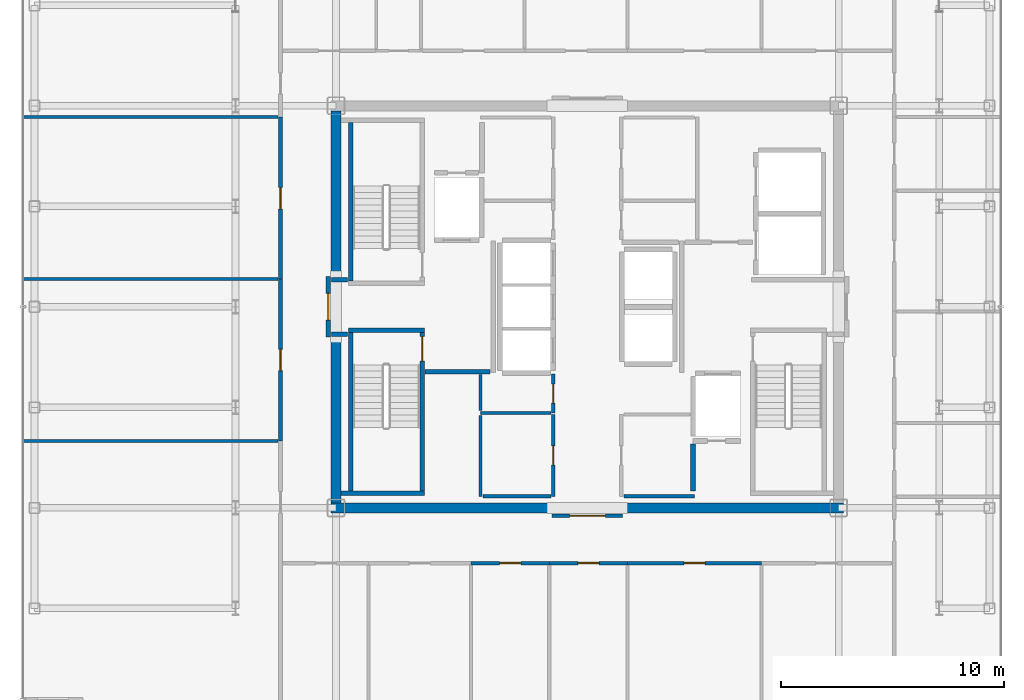
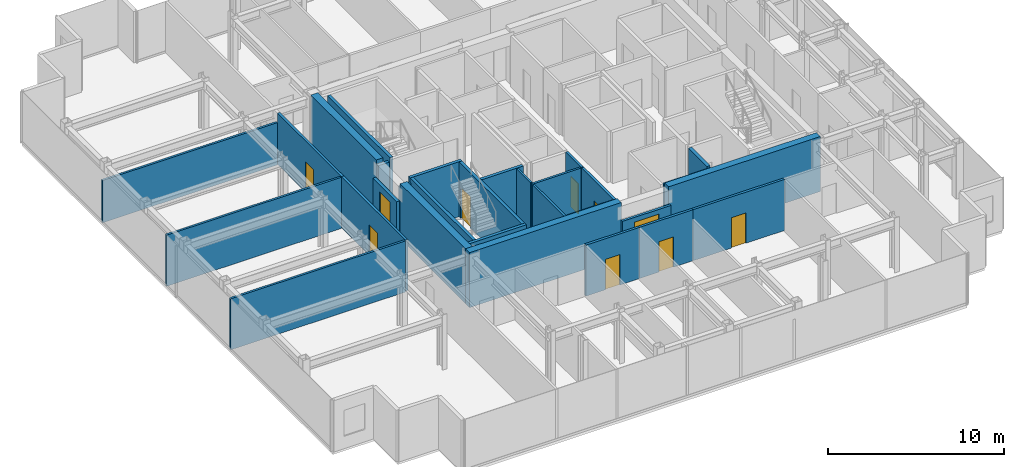
# One storey, part 13 of 18: 30 walls, 10 doors, 10 openings.
"""IFC4 building model written with IfcOpenShell, lengths in metres."""

from ifc_helpers import new_model, si_unit, direction, frame, frame_2d, origin, place, context, subcontext, project, spatial, rectangle, extrude, source, transform, mapped, material, layer, layer_set, type_object, element, fill, save


model = new_model("IFC4")

# Units and contexts
model_context = context("Model", 3, precision=1e-05, world=origin(), true_north=direction((0.0, 1.0)))
body_context = subcontext(model_context, "Body", "Model", "MODEL_VIEW")
ifc_project = project(units=[si_unit("LENGTHUNIT", "METRE"), si_unit("AREAUNIT", "SQUARE_METRE"), si_unit("VOLUMEUNIT", "CUBIC_METRE"), si_unit("PLANEANGLEUNIT", "RADIAN"), si_unit("MASSUNIT", "GRAM", prefix="KILO")], contexts=[model_context])

# Site, building, storey
site_placement = place(None, origin())
site = spatial("IfcSite", under=ifc_project, at=site_placement, CompositionType="ELEMENT")
building_placement = place(site_placement, origin())
building = spatial("IfcBuilding", under=site, at=building_placement, Name="Nefas-Gora Pilgrimage Tower", CompositionType="ELEMENT")
storey_placement = place(building_placement, frame((0.0, 0.0, 295.0)))
storey = spatial("IfcBuildingStorey", under=building, at=storey_placement, Name="L74", CompositionType="ELEMENT", Elevation=295.0)

# Walls
ifc_material_1 = material(Name="Concrete C50/60", Category="concrete")
ifc_layer_1 = layer(ifc_material_1, 0.449951171875)
ifc_layer_set_1 = layer_set([ifc_layer_1], Name="Concrete C50/60")
wall_type_1 = type_object("IfcWallType", Name="SW-CORE-450", PredefinedType="SHEAR", material=ifc_layer_set_1)
shared_shape_1 = source(origin(), body_context, "Body", "SweptSolid", [
    extrude(rectangle(XDim=9.925048828125, YDim=0.449951171875, at=frame_2d((4.96240234375, 0.0))), origin(), (0.0, 0.0, 1.0), 3.800048828125),
])
for number, where, z_axis, x_axis, name in (
    (1, (-11.47509765625, -9.0, 0.0), (0.0, 0.0, 1.0), (1.0, 0.0, 0.0), "L74 Core Shear Wall S-West"),
    (2, (1.550048828125, -9.0, 0.0), (0.0, 0.0, 1.0), (1.0, 0.0, 0.0), "L74 Core Shear Wall S-East"),
):
    element("IfcWall", number, at=place(storey_placement, frame(where, z_axis=z_axis, x_axis=x_axis)), inside=storey, type_object=wall_type_1, Name=name, PredefinedType="SHEAR", context=body_context, shape_type="MappedRepresentation", body=[
        mapped(shared_shape_1, transform((0.0, 0.0, 0.0), x_axis=(1.0, 0.0, 0.0), y_axis=(0.0, 1.0, 0.0), z_axis=(0.0, 0.0, 1.0), scale=1.0)),
    ])
shared_shape_2 = source(origin(), body_context, "Body", "SweptSolid", [
    extrude(rectangle(XDim=7.4248046875, YDim=0.449951171875, at=frame_2d((3.71240234375, 0.0))), origin(), (0.0, 0.0, 1.0), 3.800048828125),
])
for number, where, z_axis, x_axis, name in (
    (3, (-11.25, -8.77490234375, 0.0), (0.0, 0.0, 1.0), (0.0, 1.0, 0.0), "L74 Core Shear Wall W-South"),
    (4, (-11.25, 1.35009765625, 0.0), (0.0, 0.0, 1.0), (0.0, 1.0, 0.0), "L74 Core Shear Wall W-North"),
):
    element("IfcWall", number, at=place(storey_placement, frame(where, z_axis=z_axis, x_axis=x_axis)), inside=storey, type_object=wall_type_1, Name=name, PredefinedType="SHEAR", context=body_context, shape_type="MappedRepresentation", body=[
        mapped(shared_shape_2, transform((0.0, 0.0, 0.0), x_axis=(1.0, 0.0, 0.0), y_axis=(0.0, 1.0, 0.0), z_axis=(0.0, 0.0, 1.0), scale=1.0)),
    ])
ifc_material_2 = material(Name="Concrete C45/55", Category="concrete")
ifc_layer_2 = layer(ifc_material_2, 0.199951171875)
ifc_layer_set_2 = layer_set([ifc_layer_2], Name="Concrete C45/55")
wall_type_2 = type_object("IfcWallType", Name="IW-STAIR-200", PredefinedType="SOLIDWALL", material=ifc_layer_set_2)
shared_shape_3 = source(origin(), body_context, "Body", "SweptSolid", [
    extrude(rectangle(XDim=3.39990234375, YDim=0.199951171875, at=frame_2d((1.699951171875, 0.0))), origin(), (0.0, 0.0, 1.0), 3.800048828125),
])
wall_1_placement = place(storey_placement, frame((-10.699951171875, -1.050048828125, 0.0), z_axis=(0.0, 0.0, 1.0), x_axis=(1.0, 0.0, 0.0)))
element("IfcWall", 5, at=wall_1_placement, inside=storey, type_object=wall_type_2, Name="L74 Stairwell Shear Wall ST-03-near", PredefinedType="SOLIDWALL", context=body_context, shape_type="MappedRepresentation", body=[
    mapped(shared_shape_3, transform((0.0, 0.0, 0.0), x_axis=(1.0, 0.0, 0.0), y_axis=(0.0, 1.0, 0.0), z_axis=(0.0, 0.0, 1.0), scale=1.0)),
])
shared_shape_4 = source(origin(), body_context, "Body", "SweptSolid", [
    extrude(rectangle(XDim=7.10009765625, YDim=0.199951171875, at=frame_2d((3.550048828125, 0.0))), origin(), (0.0, 0.0, 1.0), 3.800048828125),
])
for number, where, z_axis, x_axis, name in (
    (6, (-10.60009765625, 1.14990234375, 0.0), (0.0, 0.0, 1.0), (0.0, 1.0, 0.0), "L74 Stairwell Shear Wall ST-01-right"),
    (7, (-10.60009765625, -1.14990234375, 0.0), (0.0, 0.0, 1.0), (0.0, -1.0, 0.0), "L74 Stairwell Shear Wall ST-03-left"),
):
    element("IfcWall", number, at=place(storey_placement, frame(where, z_axis=z_axis, x_axis=x_axis)), inside=storey, type_object=wall_type_2, Name=name, PredefinedType="SOLIDWALL", context=body_context, shape_type="MappedRepresentation", body=[
        mapped(shared_shape_4, transform((0.0, 0.0, 0.0), x_axis=(1.0, 0.0, 0.0), y_axis=(0.0, 1.0, 0.0), z_axis=(0.0, 0.0, 1.0), scale=1.0)),
    ])

# Wall, opening, door
wall_2_placement = place(storey_placement, frame((-7.39990234375, -1.14990234375, 0.0), z_axis=(0.0, 0.0, 1.0), x_axis=(0.0, -1.0, 0.0)))
wall_2 = element("IfcWall", 8, at=wall_2_placement, inside=storey, type_object=wall_type_2, Name="L74 Stairwell Shear Wall ST-03-right", PredefinedType="SOLIDWALL", context=body_context, shape_type="MappedRepresentation", body=[
    mapped(shared_shape_4, transform((0.0, 0.0, 0.0), x_axis=(1.0, 0.0, 0.0), y_axis=(0.0, 1.0, 0.0), z_axis=(0.0, 0.0, 1.0), scale=1.0)),
])
opening_1_placement = place(wall_2_placement, frame((0.179931640625, 0.0, 0.0)))
opening_1 = element("IfcOpeningElement", 9, at=opening_1_placement, cuts=wall_2, Name="Opening ID-ST1", PredefinedType="OPENING", context=body_context, shape_type="SweptSolid", body=[
    extrude(rectangle(XDim=1.10009765625, YDim=2.14990234375, at=frame_2d((0.550048828125, 1.074951171875))), frame((0.0, 0.10986328125, 0.0), z_axis=(0.0, -1.0, 0.0), x_axis=(1.0, 0.0, 0.0)), (0.0, 0.0, 1.0), 0.219970703125),
])
ifc_material_3 = material(Name="Painted galvanised steel fire stair door", Category="steel")
door_type_1 = type_object("IfcDoorType", Name="DR-INT-STAIR-1100", OperationType="NOTDEFINED", PredefinedType="DOOR", material=ifc_material_3)
shared_shape_5 = source(origin(), body_context, "Body", "SweptSolid", [
    extrude(rectangle(XDim=1.10009765625, YDim=2.14990234375, at=frame_2d((0.550048828125, 1.074951171875))), frame((0.0, 0.02490234375, 0.0), z_axis=(0.0, -1.0, 0.0), x_axis=(1.0, 0.0, 0.0)), (0.0, 0.0, 1.0), 0.050048828125),
])
door_1_placement = place(opening_1_placement, origin())
door_1 = element("IfcDoor", 10, at=door_1_placement, inside=storey, type_object=door_type_1, Name="L74 Protected Exit Stair Door ST-03", OperationType="SINGLE_SWING_RIGHT", OverallHeight=2.14990234375, OverallWidth=1.10009765625, PredefinedType="DOOR", context=body_context, shape_type="MappedRepresentation", body=[
    mapped(shared_shape_5, transform((0.0, 0.0, 0.0), x_axis=(1.0, 0.0, 0.0), y_axis=(0.0, 1.0, 0.0), z_axis=(0.0, 0.0, 1.0), scale=1.0)),
])
fill(opening_1, door_1)

# Walls
shared_shape_6 = source(origin(), body_context, "Body", "SweptSolid", [
    extrude(rectangle(XDim=3.72998046875, YDim=0.199951171875, at=frame_2d((1.864990234375, 0.0))), origin(), (0.0, 0.0, 1.0), 3.800048828125),
])
wall_3_placement = place(storey_placement, frame((-11.030029296875, -8.35009765625, 0.0), z_axis=(0.0, 0.0, 1.0), x_axis=(1.0, 0.0, 0.0)))
element("IfcWall", 11, at=wall_3_placement, inside=storey, type_object=wall_type_2, Name="L74 Stairwell Shear Wall ST-03-far", PredefinedType="SOLIDWALL", context=body_context, shape_type="MappedRepresentation", body=[
    mapped(shared_shape_6, transform((0.0, 0.0, 0.0), x_axis=(1.0, 0.0, 0.0), y_axis=(0.0, 1.0, 0.0), z_axis=(0.0, 0.0, 1.0), scale=1.0)),
])
ifc_material_4 = material(Name="Gypsum fire-rated shaftwall")
ifc_layer_3 = layer(ifc_material_4, 0.199951171875)
ifc_layer_set_3 = layer_set([ifc_layer_3], Name="Gypsum fire-rated shaftwall")
wall_type_3 = type_object("IfcWallType", Name="IW-FFLOB-200", PredefinedType="PARTITIONING", material=ifc_layer_set_3)
shared_shape_7 = source(origin(), body_context, "Body", "SweptSolid", [
    extrude(rectangle(XDim=2.89990234375, YDim=0.199951171875, at=frame_2d((1.449951171875, 0.0))), origin(), (0.0, 0.0, 1.0), 3.534912109375),
])
wall_4_placement = place(storey_placement, frame((-7.260009765625, -2.89990234375, 0.0), z_axis=(0.0, 0.0, 1.0), x_axis=(1.0, 0.0, 0.0)))
element("IfcWall", 12, at=wall_4_placement, inside=storey, type_object=wall_type_3, Name="L74 FF Lobby West South Wall Wall 7", PredefinedType="PARTITIONING", context=body_context, shape_type="MappedRepresentation", body=[
    mapped(shared_shape_7, transform((0.0, 0.0, 0.0), x_axis=(1.0, 0.0, 0.0), y_axis=(0.0, 1.0, 0.0), z_axis=(0.0, 0.0, 1.0), scale=1.0)),
])
shared_shape_8 = source(origin(), body_context, "Body", "SweptSolid", [
    extrude(rectangle(XDim=0.719970703125, YDim=0.199951171875, at=frame_2d((0.35986328125, 0.0))), origin(), (0.0, 0.0, 1.0), 3.534912109375),
])
for number, where, z_axis, x_axis, name in (
    (13, (-11.4599609375, 1.219970703125, 0.0), (0.0, 0.0, 1.0), (1.0, 0.0, 0.0), "L74 FF Lobby West Throat N Wall 8"),
    (14, (-11.4599609375, -1.219970703125, 0.0), (0.0, 0.0, 1.0), (1.0, 0.0, 0.0), "L74 FF Lobby West Throat S Wall 9"),
):
    element("IfcWall", number, at=place(storey_placement, frame(where, z_axis=z_axis, x_axis=x_axis)), inside=storey, type_object=wall_type_3, Name=name, PredefinedType="PARTITIONING", context=body_context, shape_type="MappedRepresentation", body=[
        mapped(shared_shape_8, transform((0.0, 0.0, 0.0), x_axis=(1.0, 0.0, 0.0), y_axis=(0.0, 1.0, 0.0), z_axis=(0.0, 0.0, 1.0), scale=1.0)),
    ])
ifc_material_5 = material(Name="Gypsum twin-stud partition")
ifc_layer_4 = layer(ifc_material_5, 0.139892578125)
ifc_layer_set_4 = layer_set([ifc_layer_4], Name="Gypsum twin-stud partition")
wall_type_4 = type_object("IfcWallType", Name="IW-UNIT-140", PredefinedType="PARTITIONING", material=ifc_layer_set_4)
shared_shape_9 = source(origin(), body_context, "Body", "SweptSolid", [
    extrude(rectangle(XDim=3.150146484375, YDim=0.139892578125, at=frame_2d((1.5751953125, 0.0))), origin(), (0.0, 0.0, 1.0), 3.534912109375),
])
for number, where, z_axis, x_axis, name in (
    (15, (-4.7900390625, -4.75, 0.0), (0.0, 0.0, 1.0), (1.0, 0.0, 0.0), "L74 Guest Self-Service Laundry Room Partition Wall 28"),
    (16, (1.639892578125, -8.47998046875, 0.0), (0.0, 0.0, 1.0), (1.0, 0.0, 0.0), "L74 High-Rise Tableware Store Partition Wall 35"),
):
    element("IfcWall", number, at=place(storey_placement, frame(where, z_axis=z_axis, x_axis=x_axis)), inside=storey, type_object=wall_type_4, Name=name, PredefinedType="PARTITIONING", context=body_context, shape_type="MappedRepresentation", body=[
        mapped(shared_shape_9, transform((0.0, 0.0, 0.0), x_axis=(1.0, 0.0, 0.0), y_axis=(0.0, 1.0, 0.0), z_axis=(0.0, 0.0, 1.0), scale=1.0)),
    ])

# Wall, opening, door
ifc_material_6 = material(Name="Gypsum acoustic stud partition")
ifc_layer_5 = layer(ifc_material_6, 0.159912109375)
ifc_layer_set_5 = layer_set([ifc_layer_5], Name="Gypsum acoustic stud partition")
wall_type_5 = type_object("IfcWallType", Name="IW-CORR-160", PredefinedType="PARTITIONING", material=ifc_layer_set_5)
shared_shape_10 = source(origin(), body_context, "Body", "SweptSolid", [
    extrude(rectangle(XDim=6.010009765625, YDim=0.159912109375, at=frame_2d((3.0048828125, 0.0))), origin(), (0.0, 0.0, 1.0), 3.534912109375),
])
wall_5_placement = place(storey_placement, frame((1.794921875, -11.469970703125, 0.0), z_axis=(0.0, 0.0, 1.0), x_axis=(1.0, 0.0, 0.0)))
wall_5 = element("IfcWall", 17, at=wall_5_placement, inside=storey, type_object=wall_type_5, Name="L74 Pilgrim Contemplative Lounge Partition Wall 73", PredefinedType="PARTITIONING", context=body_context, shape_type="MappedRepresentation", body=[
    mapped(shared_shape_10, transform((0.0, 0.0, 0.0), x_axis=(1.0, 0.0, 0.0), y_axis=(0.0, 1.0, 0.0), z_axis=(0.0, 0.0, 1.0), scale=1.0)),
])
opening_2_placement = place(wall_5_placement, frame((2.530029296875, 0.0, 0.0)))
opening_2 = element("IfcOpeningElement", 18, at=opening_2_placement, cuts=wall_5, Name="Opening ID-GR1", PredefinedType="OPENING", context=body_context, shape_type="SweptSolid", body=[
    extrude(rectangle(XDim=0.949951171875, YDim=2.10009765625, at=frame_2d((0.47509765625, 1.050048828125))), frame((0.0, 0.08984375, 0.0), z_axis=(0.0, -1.0, 0.0), x_axis=(1.0, 0.0, 0.0)), (0.0, 0.0, 1.0), 0.179931640625),
])
ifc_material_7 = material(Name="Solid core oak fire-rated guest entrance door")
door_type_2 = type_object("IfcDoorType", Name="DR-INT-GUEST-950", OperationType="NOTDEFINED", PredefinedType="DOOR", material=ifc_material_7)
shared_shape_11 = source(origin(), body_context, "Body", "SweptSolid", [
    extrude(rectangle(XDim=0.949951171875, YDim=2.10009765625, at=frame_2d((0.47509765625, 1.050048828125))), frame((0.0, 0.02490234375, 0.0), z_axis=(0.0, -1.0, 0.0), x_axis=(1.0, 0.0, 0.0)), (0.0, 0.0, 1.0), 0.050048828125),
])
door_2_placement = place(opening_2_placement, origin())
door_2 = element("IfcDoor", 19, at=door_2_placement, inside=storey, type_object=door_type_2, Name="L74 Pilgrim Contemplative Lounge Door 35", OperationType="SINGLE_SWING_LEFT", OverallHeight=2.10009765625, OverallWidth=0.949951171875, PredefinedType="DOOR", context=body_context, shape_type="MappedRepresentation", body=[
    mapped(shared_shape_11, transform((0.0, 0.0, 0.0), x_axis=(1.0, 0.0, 0.0), y_axis=(0.0, 1.0, 0.0), z_axis=(0.0, 0.0, 1.0), scale=1.0)),
])
fill(opening_2, door_2)

shared_shape_12 = source(origin(), body_context, "Body", "SweptSolid", [
    extrude(rectangle(XDim=3.505126953125, YDim=0.159912109375, at=frame_2d((1.75244140625, 0.0))), origin(), (0.0, 0.0, 1.0), 3.534912109375),
])
wall_6_placement = place(storey_placement, frame((-5.205078125, -11.469970703125, 0.0), z_axis=(0.0, 0.0, 1.0), x_axis=(1.0, 0.0, 0.0)))
wall_6 = element("IfcWall", 20, at=wall_6_placement, inside=storey, type_object=wall_type_5, Name="L74 Pilgrim Contemplative Lounge Partition Wall 69", PredefinedType="PARTITIONING", context=body_context, shape_type="MappedRepresentation", body=[
    mapped(shared_shape_12, transform((0.0, 0.0, 0.0), x_axis=(1.0, 0.0, 0.0), y_axis=(0.0, 1.0, 0.0), z_axis=(0.0, 0.0, 1.0), scale=1.0)),
])
opening_3_placement = place(wall_6_placement, frame((1.277587890625, 0.0, 0.0)))
opening_3 = element("IfcOpeningElement", 21, at=opening_3_placement, cuts=wall_6, Name="Opening ID-GR1", PredefinedType="OPENING", context=body_context, shape_type="SweptSolid", body=[
    extrude(rectangle(XDim=0.949951171875, YDim=2.10009765625, at=frame_2d((0.47509765625, 1.050048828125))), frame((0.0, 0.08984375, 0.0), z_axis=(0.0, -1.0, 0.0), x_axis=(1.0, 0.0, 0.0)), (0.0, 0.0, 1.0), 0.179931640625),
])
door_3_placement = place(opening_3_placement, origin())
door_3 = element("IfcDoor", 22, at=door_3_placement, inside=storey, type_object=door_type_2, Name="L74 Pilgrim Contemplative Lounge Door 33", OperationType="SINGLE_SWING_LEFT", OverallHeight=2.10009765625, OverallWidth=0.949951171875, PredefinedType="DOOR", context=body_context, shape_type="MappedRepresentation", body=[
    mapped(shared_shape_11, transform((0.0, 0.0, 0.0), x_axis=(1.0, 0.0, 0.0), y_axis=(0.0, 1.0, 0.0), z_axis=(0.0, 0.0, 1.0), scale=1.0)),
])
fill(opening_3, door_3)

shared_shape_13 = source(origin(), body_context, "Body", "SweptSolid", [
    extrude(rectangle(XDim=3.5048828125, YDim=0.159912109375, at=frame_2d((1.75244140625, 0.0))), origin(), (0.0, 0.0, 1.0), 3.534912109375),
])
wall_7_placement = place(storey_placement, frame((-1.699951171875, -11.469970703125, 0.0), z_axis=(0.0, 0.0, 1.0), x_axis=(1.0, 0.0, 0.0)))
wall_7 = element("IfcWall", 23, at=wall_7_placement, inside=storey, type_object=wall_type_5, Name="L74 Pilgrim Contemplative Lounge Partition Wall 71", PredefinedType="PARTITIONING", context=body_context, shape_type="MappedRepresentation", body=[
    mapped(shared_shape_13, transform((0.0, 0.0, 0.0), x_axis=(1.0, 0.0, 0.0), y_axis=(0.0, 1.0, 0.0), z_axis=(0.0, 0.0, 1.0), scale=1.0)),
])
opening_4_placement = place(wall_7_placement, frame((1.277587890625, 0.0, 0.0)))
opening_4 = element("IfcOpeningElement", 24, at=opening_4_placement, cuts=wall_7, Name="Opening ID-GR1", PredefinedType="OPENING", context=body_context, shape_type="SweptSolid", body=[
    extrude(rectangle(XDim=0.949951171875, YDim=2.10009765625, at=frame_2d((0.47509765625, 1.050048828125))), frame((0.0, 0.08984375, 0.0), z_axis=(0.0, -1.0, 0.0), x_axis=(1.0, 0.0, 0.0)), (0.0, 0.0, 1.0), 0.179931640625),
])
door_4_placement = place(opening_4_placement, origin())
door_4 = element("IfcDoor", 25, at=door_4_placement, inside=storey, type_object=door_type_2, Name="L74 Pilgrim Contemplative Lounge Door 34", OperationType="SINGLE_SWING_RIGHT", OverallHeight=2.10009765625, OverallWidth=0.949951171875, PredefinedType="DOOR", context=body_context, shape_type="MappedRepresentation", body=[
    mapped(shared_shape_11, transform((0.0, 0.0, 0.0), x_axis=(1.0, 0.0, 0.0), y_axis=(0.0, 1.0, 0.0), z_axis=(0.0, 0.0, 1.0), scale=1.0)),
])
fill(opening_4, door_4)

# Walls
shared_shape_14 = source(origin(), body_context, "Body", "SweptSolid", [
    extrude(rectangle(XDim=11.429931640625, YDim=0.139892578125, at=frame_2d((5.71484375, 0.0))), origin(), (0.0, 0.0, 1.0), 3.534912109375),
])
for number, where, z_axis, x_axis, name in (
    (26, (-25.2900390625, -6.0048828125, 0.0), (0.0, 0.0, 1.0), (1.0, 0.0, 0.0), "L74 Pilgrim Tea and Beverage Pantry Partition Wall 40"),
    (27, (-25.2900390625, 1.251220703125, 0.0), (0.0, 0.0, 1.0), (1.0, 0.0, 0.0), "L74 Pilgrim Tea and Beverage Pantry Partition Wall 44"),
):
    element("IfcWall", number, at=place(storey_placement, frame(where, z_axis=z_axis, x_axis=x_axis)), inside=storey, type_object=wall_type_4, Name=name, PredefinedType="PARTITIONING", context=body_context, shape_type="MappedRepresentation", body=[
        mapped(shared_shape_14, transform((0.0, 0.0, 0.0), x_axis=(1.0, 0.0, 0.0), y_axis=(0.0, 1.0, 0.0), z_axis=(0.0, 0.0, 1.0), scale=1.0)),
    ])

# Wall, opening, door
shared_shape_15 = source(origin(), body_context, "Body", "SweptSolid", [
    extrude(rectangle(XDim=1.75, YDim=0.159912109375, at=frame_2d((0.875, 0.0))), origin(), (0.0, 0.0, 1.0), 3.534912109375),
])
wall_8_placement = place(storey_placement, frame((-1.52001953125, -4.760009765625, 0.0), z_axis=(0.0, 0.0, 1.0), x_axis=(0.0, 1.0, 0.0)))
wall_8 = element("IfcWall", 28, at=wall_8_placement, inside=storey, type_object=wall_type_5, Name="L74 Guest Self-Service Laundry Room Wall 27", PredefinedType="PARTITIONING", context=body_context, shape_type="MappedRepresentation", body=[
    mapped(shared_shape_15, transform((0.0, 0.0, 0.0), x_axis=(1.0, 0.0, 0.0), y_axis=(0.0, 1.0, 0.0), z_axis=(0.0, 0.0, 1.0), scale=1.0)),
])
opening_5_placement = place(wall_8_placement, frame((0.449951171875, 0.0, 0.0)))
opening_5 = element("IfcOpeningElement", 29, at=opening_5_placement, cuts=wall_8, Name="Opening ID-BT1", PredefinedType="OPENING", context=body_context, shape_type="SweptSolid", body=[
    extrude(rectangle(XDim=0.85009765625, YDim=2.10009765625, at=frame_2d((0.425048828125, 1.050048828125))), frame((0.0, 0.08984375, 0.0), z_axis=(0.0, -1.0, 0.0), x_axis=(1.0, 0.0, 0.0)), (0.0, 0.0, 1.0), 0.179931640625),
])
ifc_material_8 = material(Name="Moisture-resistant fire-rated timber door", Category="wood")
door_type_3 = type_object("IfcDoorType", Name="DR-INT-BATH-850", OperationType="NOTDEFINED", PredefinedType="DOOR", material=ifc_material_8)
shared_shape_16 = source(origin(), body_context, "Body", "SweptSolid", [
    extrude(rectangle(XDim=0.85009765625, YDim=2.10009765625, at=frame_2d((0.425048828125, 1.050048828125))), frame((0.0, 0.02490234375, 0.0), z_axis=(0.0, -1.0, 0.0), x_axis=(1.0, 0.0, 0.0)), (0.0, 0.0, 1.0), 0.050048828125),
])
door_5_placement = place(opening_5_placement, origin())
door_5 = element("IfcDoor", 30, at=door_5_placement, inside=storey, type_object=door_type_3, Name="L74 Guest Self-Service Laundry Room Door 12", OperationType="SINGLE_SWING_RIGHT", OverallHeight=2.10009765625, OverallWidth=0.85009765625, PredefinedType="DOOR", context=body_context, shape_type="MappedRepresentation", body=[
    mapped(shared_shape_16, transform((0.0, 0.0, 0.0), x_axis=(1.0, 0.0, 0.0), y_axis=(0.0, 1.0, 0.0), z_axis=(0.0, 0.0, 1.0), scale=1.0)),
])
fill(opening_5, door_5)

shared_shape_17 = source(origin(), body_context, "Body", "SweptSolid", [
    extrude(rectangle(XDim=3.679931640625, YDim=0.159912109375, at=frame_2d((1.83984375, 0.0))), origin(), (0.0, 0.0, 1.0), 3.534912109375),
])
wall_9_placement = place(storey_placement, frame((-1.52001953125, -8.489990234375, 0.0), z_axis=(0.0, 0.0, 1.0), x_axis=(0.0, 1.0, 0.0)))
wall_9 = element("IfcWall", 31, at=wall_9_placement, inside=storey, type_object=wall_type_5, Name="L74 High-Rise Linen Store Wall 30", PredefinedType="PARTITIONING", context=body_context, shape_type="MappedRepresentation", body=[
    mapped(shared_shape_17, transform((0.0, 0.0, 0.0), x_axis=(1.0, 0.0, 0.0), y_axis=(0.0, 1.0, 0.0), z_axis=(0.0, 0.0, 1.0), scale=1.0)),
])
opening_6_placement = place(wall_9_placement, frame((1.4150390625, 0.0, 0.0)))
opening_6 = element("IfcOpeningElement", 32, at=opening_6_placement, cuts=wall_9, Name="Opening ID-BT1", PredefinedType="OPENING", context=body_context, shape_type="SweptSolid", body=[
    extrude(rectangle(XDim=0.85009765625, YDim=2.10009765625, at=frame_2d((0.425048828125, 1.050048828125))), frame((0.0, 0.08984375, 0.0), z_axis=(0.0, -1.0, 0.0), x_axis=(1.0, 0.0, 0.0)), (0.0, 0.0, 1.0), 0.179931640625),
])
door_6_placement = place(opening_6_placement, origin())
door_6 = element("IfcDoor", 33, at=door_6_placement, inside=storey, type_object=door_type_3, Name="L74 High-Rise Linen Store Door 13", OperationType="SINGLE_SWING_LEFT", OverallHeight=2.10009765625, OverallWidth=0.85009765625, PredefinedType="DOOR", context=body_context, shape_type="MappedRepresentation", body=[
    mapped(shared_shape_16, transform((0.0, 0.0, 0.0), x_axis=(1.0, 0.0, 0.0), y_axis=(0.0, 1.0, 0.0), z_axis=(0.0, 0.0, 1.0), scale=1.0)),
])
fill(opening_6, door_6)

shared_shape_18 = source(origin(), body_context, "Body", "SweptSolid", [
    extrude(rectangle(XDim=2.7001953125, YDim=0.199951171875, at=frame_2d((1.35009765625, 0.0))), origin(), (0.0, 0.0, 1.0), 2.625),
])
wall_10_placement = place(storey_placement, frame((-11.60009765625, -1.35009765625, 0.0), z_axis=(0.0, 0.0, 1.0), x_axis=(0.0, 1.0, 0.0)))
wall_10 = element("IfcWall", 34, at=wall_10_placement, inside=storey, type_object=wall_type_3, Name="L74 FF Lobby West Portal Wall 5", PredefinedType="PARTITIONING", context=body_context, shape_type="MappedRepresentation", body=[
    mapped(shared_shape_18, transform((0.0, 0.0, 0.0), x_axis=(1.0, 0.0, 0.0), y_axis=(0.0, 1.0, 0.0), z_axis=(0.0, 0.0, 1.0), scale=1.0)),
])
opening_7_placement = place(wall_10_placement, frame((0.75, 0.0, 0.0)))
opening_7 = element("IfcOpeningElement", 35, at=opening_7_placement, cuts=wall_10, Name="Opening ID-FF1", PredefinedType="OPENING", context=body_context, shape_type="SweptSolid", body=[
    extrude(rectangle(XDim=1.199951171875, YDim=2.14990234375, at=frame_2d((0.60009765625, 1.074951171875))), frame((0.0, 0.10986328125, 0.0), z_axis=(0.0, -1.0, 0.0), x_axis=(1.0, 0.0, 0.0)), (0.0, 0.0, 1.0), 0.219970703125),
])
ifc_material_9 = material(Name="Smoke-sealed steel firefighting lobby door", Category="steel")
door_type_4 = type_object("IfcDoorType", Name="DR-INT-FFLOB-1200", OperationType="NOTDEFINED", PredefinedType="DOOR", material=ifc_material_9)
shared_shape_19 = source(origin(), body_context, "Body", "SweptSolid", [
    extrude(rectangle(XDim=1.199951171875, YDim=2.14990234375, at=frame_2d((0.60009765625, 1.074951171875))), frame((0.0, 0.02490234375, 0.0), z_axis=(0.0, -1.0, 0.0), x_axis=(1.0, 0.0, 0.0)), (0.0, 0.0, 1.0), 0.050048828125),
])
door_7_placement = place(opening_7_placement, origin())
door_7 = element("IfcDoor", 36, at=door_7_placement, inside=storey, type_object=door_type_4, Name="L74 FF Lobby West Portal Door 3", OperationType="SINGLE_SWING_LEFT", OverallHeight=2.14990234375, OverallWidth=1.199951171875, PredefinedType="DOOR", context=body_context, shape_type="MappedRepresentation", body=[
    mapped(shared_shape_19, transform((0.0, 0.0, 0.0), x_axis=(1.0, 0.0, 0.0), y_axis=(0.0, 1.0, 0.0), z_axis=(0.0, 0.0, 1.0), scale=1.0)),
])
fill(opening_7, door_7)

shared_shape_20 = source(origin(), body_context, "Body", "SweptSolid", [
    extrude(rectangle(XDim=3.16015625, YDim=0.159912109375, at=frame_2d((1.580078125, 0.0))), origin(), (0.0, 0.0, 1.0), 2.625),
])
wall_11_placement = place(storey_placement, frame((-1.580078125, -9.35009765625, 0.0), z_axis=(0.0, 0.0, 1.0), x_axis=(1.0, 0.0, 0.0)))
wall_11 = element("IfcWall", 37, at=wall_11_placement, inside=storey, type_object=wall_type_5, Name="L74 Central Lift Lobby South Portal Wall 17", PredefinedType="PARTITIONING", context=body_context, shape_type="MappedRepresentation", body=[
    mapped(shared_shape_20, transform((0.0, 0.0, 0.0), x_axis=(1.0, 0.0, 0.0), y_axis=(0.0, 1.0, 0.0), z_axis=(0.0, 0.0, 1.0), scale=1.0)),
])
opening_8_placement = place(wall_11_placement, frame((0.780029296875, 0.0, 0.0)))
opening_8 = element("IfcOpeningElement", 38, at=opening_8_placement, cuts=wall_11, Name="Opening ID-HL1", PredefinedType="OPENING", context=body_context, shape_type="SweptSolid", body=[
    extrude(rectangle(XDim=1.60009765625, YDim=2.300048828125, at=frame_2d((0.800048828125, 1.14990234375))), frame((0.0, 0.08984375, 0.0), z_axis=(0.0, -1.0, 0.0), x_axis=(1.0, 0.0, 0.0)), (0.0, 0.0, 1.0), 0.179931640625),
])
ifc_material_10 = material(Name="Double acoustic timber assembly hall door", Category="wood")
door_type_5 = type_object("IfcDoorType", Name="DR-INT-HALL-1600", OperationType="DOUBLE_DOOR_SINGLE_SWING", PredefinedType="DOOR", material=ifc_material_10)
shared_shape_21 = source(origin(), body_context, "Body", "SweptSolid", [
    extrude(rectangle(XDim=1.60009765625, YDim=2.300048828125, at=frame_2d((0.800048828125, 1.14990234375))), frame((0.0, 0.02490234375, 0.0), z_axis=(0.0, -1.0, 0.0), x_axis=(1.0, 0.0, 0.0)), (0.0, 0.0, 1.0), 0.050048828125),
])
door_8_placement = place(opening_8_placement, origin())
door_8 = element("IfcDoor", 39, at=door_8_placement, inside=storey, type_object=door_type_5, Name="L74 Central Lift Lobby South Portal Door 7", OperationType="DOUBLE_DOOR_SINGLE_SWING", OverallHeight=2.300048828125, OverallWidth=1.60009765625, PredefinedType="DOOR", context=body_context, shape_type="MappedRepresentation", body=[
    mapped(shared_shape_21, transform((0.0, 0.0, 0.0), x_axis=(1.0, 0.0, 0.0), y_axis=(0.0, 1.0, 0.0), z_axis=(0.0, 0.0, 1.0), scale=1.0)),
])
fill(opening_8, door_8)

# Walls
shared_shape_22 = source(origin(), body_context, "Body", "SweptSolid", [
    extrude(rectangle(XDim=11.429931640625, YDim=0.139892578125, at=frame_2d((5.71484375, 0.0))), origin(), (0.0, 0.0, 1.0), 2.925048828125),
])
wall_12_placement = place(storey_placement, frame((-25.2900390625, 8.49755859375, 0.0), z_axis=(0.0, 0.0, 1.0), x_axis=(1.0, 0.0, 0.0)))
element("IfcWall", 40, at=wall_12_placement, inside=storey, type_object=wall_type_4, Name="L74 Pilgrim Tea and Beverage Pantry Partition Wall 42", PredefinedType="PARTITIONING", context=body_context, shape_type="MappedRepresentation", body=[
    mapped(shared_shape_22, transform((0.0, 0.0, 0.0), x_axis=(1.0, 0.0, 0.0), y_axis=(0.0, 1.0, 0.0), z_axis=(0.0, 0.0, 1.0), scale=1.0)),
])
ifc_material_11 = material(Name="Concrete C40/50", Category="concrete")
ifc_layer_6 = layer(ifc_material_11, 0.219970703125)
ifc_layer_set_6 = layer_set([ifc_layer_6], Name="Concrete C40/50")
wall_type_6 = type_object("IfcWallType", Name="IW-SHAFT-220", PredefinedType="SOLIDWALL", material=ifc_layer_set_6)
shared_shape_23 = source(origin(), body_context, "Body", "SweptSolid", [
    extrude(rectangle(XDim=2.10009765625, YDim=0.219970703125, at=frame_2d((1.050048828125, 0.0))), origin(), (0.0, 0.0, 1.0), 3.534912109375),
])
wall_13_placement = place(storey_placement, frame((4.719970703125, -8.25, 0.0), z_axis=(0.0, 0.0, 1.0), x_axis=(0.0, 1.0, 0.0)))
element("IfcWall", 41, at=wall_13_placement, inside=storey, type_object=wall_type_6, Name="L74 Riser Shaft Wall 4", PredefinedType="SOLIDWALL", context=body_context, shape_type="MappedRepresentation", body=[
    mapped(shared_shape_23, transform((0.0, 0.0, 0.0), x_axis=(1.0, 0.0, 0.0), y_axis=(0.0, 1.0, 0.0), z_axis=(0.0, 0.0, 1.0), scale=1.0)),
])
shared_shape_24 = source(origin(), body_context, "Body", "SweptSolid", [
    extrude(rectangle(XDim=1.599853515625, YDim=0.139892578125, at=frame_2d((0.7998046875, 0.0))), origin(), (0.0, 0.0, 1.0), 3.534912109375),
])
wall_14_placement = place(storey_placement, frame((-4.780029296875, -4.639892578125, 0.0), z_axis=(0.0, 0.0, 1.0), x_axis=(0.0, 1.0, 0.0)))
element("IfcWall", 42, at=wall_14_placement, inside=storey, type_object=wall_type_4, Name="L74 Guest Self-Service Laundry Room Partition Wall 29", PredefinedType="PARTITIONING", context=body_context, shape_type="MappedRepresentation", body=[
    mapped(shared_shape_24, transform((0.0, 0.0, 0.0), x_axis=(1.0, 0.0, 0.0), y_axis=(0.0, 1.0, 0.0), z_axis=(0.0, 0.0, 1.0), scale=1.0)),
])
shared_shape_25 = source(origin(), body_context, "Body", "SweptSolid", [
    extrude(rectangle(XDim=3.6298828125, YDim=0.139892578125, at=frame_2d((1.81494140625, 0.0))), origin(), (0.0, 0.0, 1.0), 3.534912109375),
])
wall_15_placement = place(storey_placement, frame((-4.780029296875, -8.489990234375, 0.0), z_axis=(0.0, 0.0, 1.0), x_axis=(0.0, 1.0, 0.0)))
element("IfcWall", 43, at=wall_15_placement, inside=storey, type_object=wall_type_4, Name="L74 High-Rise Linen Store Partition Wall 31", PredefinedType="PARTITIONING", context=body_context, shape_type="MappedRepresentation", body=[
    mapped(shared_shape_25, transform((0.0, 0.0, 0.0), x_axis=(1.0, 0.0, 0.0), y_axis=(0.0, 1.0, 0.0), z_axis=(0.0, 0.0, 1.0), scale=1.0)),
])
shared_shape_26 = source(origin(), body_context, "Body", "SweptSolid", [
    extrude(rectangle(XDim=3.030029296875, YDim=0.139892578125, at=frame_2d((1.51513671875, 0.0))), origin(), (0.0, 0.0, 1.0), 3.534912109375),
])
wall_16_placement = place(storey_placement, frame((-4.669921875, -8.47998046875, 0.0), z_axis=(0.0, 0.0, 1.0), x_axis=(1.0, 0.0, 0.0)))
element("IfcWall", 44, at=wall_16_placement, inside=storey, type_object=wall_type_4, Name="L74 High-Rise Linen Store Partition Wall 32", PredefinedType="PARTITIONING", context=body_context, shape_type="MappedRepresentation", body=[
    mapped(shared_shape_26, transform((0.0, 0.0, 0.0), x_axis=(1.0, 0.0, 0.0), y_axis=(0.0, 1.0, 0.0), z_axis=(0.0, 0.0, 1.0), scale=1.0)),
])

# Wall, opening, door
shared_shape_27 = source(origin(), body_context, "Body", "SweptSolid", [
    extrude(rectangle(XDim=7.246337890625, YDim=0.159912109375, at=frame_2d((3.623046875, 0.0))), origin(), (0.0, 0.0, 1.0), 3.534912109375),
])
wall_17_placement = place(storey_placement, frame((-13.739990234375, 1.2412109375, 0.0), z_axis=(0.0, 0.0, 1.0), x_axis=(0.0, 1.0, 0.0)))
wall_17 = element("IfcWall", 45, at=wall_17_placement, inside=storey, type_object=wall_type_5, Name="L74 Pilgrim Tea and Beverage Pantry Partition Wall 43", PredefinedType="PARTITIONING", context=body_context, shape_type="MappedRepresentation", body=[
    mapped(shared_shape_27, transform((0.0, 0.0, 0.0), x_axis=(1.0, 0.0, 0.0), y_axis=(0.0, 1.0, 0.0), z_axis=(0.0, 0.0, 1.0), scale=1.0)),
])
opening_9_placement = place(wall_17_placement, frame((3.148193359375, 0.0, 0.0)))
opening_9 = element("IfcOpeningElement", 46, at=opening_9_placement, cuts=wall_17, Name="Opening ID-GR1", PredefinedType="OPENING", context=body_context, shape_type="SweptSolid", body=[
    extrude(rectangle(XDim=0.949951171875, YDim=2.10009765625, at=frame_2d((0.47509765625, 1.050048828125))), frame((0.0, 0.08984375, 0.0), z_axis=(0.0, -1.0, 0.0), x_axis=(1.0, 0.0, 0.0)), (0.0, 0.0, 1.0), 0.179931640625),
])
door_9_placement = place(opening_9_placement, origin())
door_9 = element("IfcDoor", 47, at=door_9_placement, inside=storey, type_object=door_type_2, Name="L74 Pilgrim Tea and Beverage Pantry Door 18", OperationType="SINGLE_SWING_RIGHT", OverallHeight=2.10009765625, OverallWidth=0.949951171875, PredefinedType="DOOR", context=body_context, shape_type="MappedRepresentation", body=[
    mapped(shared_shape_11, transform((0.0, 0.0, 0.0), x_axis=(1.0, 0.0, 0.0), y_axis=(0.0, 1.0, 0.0), z_axis=(0.0, 0.0, 1.0), scale=1.0)),
])
fill(opening_9, door_9)

shared_shape_28 = source(origin(), body_context, "Body", "SweptSolid", [
    extrude(rectangle(XDim=7.24609375, YDim=0.159912109375, at=frame_2d((3.623046875, 0.0))), origin(), (0.0, 0.0, 1.0), 3.534912109375),
])
wall_18_placement = place(storey_placement, frame((-13.739990234375, -6.0048828125, 0.0), z_axis=(0.0, 0.0, 1.0), x_axis=(0.0, 1.0, 0.0)))
wall_18 = element("IfcWall", 48, at=wall_18_placement, inside=storey, type_object=wall_type_5, Name="L74 Pilgrim Tea and Beverage Pantry Partition Wall 45", PredefinedType="PARTITIONING", context=body_context, shape_type="MappedRepresentation", body=[
    mapped(shared_shape_28, transform((0.0, 0.0, 0.0), x_axis=(1.0, 0.0, 0.0), y_axis=(0.0, 1.0, 0.0), z_axis=(0.0, 0.0, 1.0), scale=1.0)),
])
opening_10_placement = place(wall_18_placement, frame((3.148193359375, 0.0, 0.0)))
opening_10 = element("IfcOpeningElement", 49, at=opening_10_placement, cuts=wall_18, Name="Opening ID-GR1", PredefinedType="OPENING", context=body_context, shape_type="SweptSolid", body=[
    extrude(rectangle(XDim=0.949951171875, YDim=2.10009765625, at=frame_2d((0.47509765625, 1.050048828125))), frame((0.0, 0.08984375, 0.0), z_axis=(0.0, -1.0, 0.0), x_axis=(1.0, 0.0, 0.0)), (0.0, 0.0, 1.0), 0.179931640625),
])
door_10_placement = place(opening_10_placement, origin())
door_10 = element("IfcDoor", 50, at=door_10_placement, inside=storey, type_object=door_type_2, Name="L74 Pilgrim Tea and Beverage Pantry Door 19", OperationType="SINGLE_SWING_LEFT", OverallHeight=2.10009765625, OverallWidth=0.949951171875, PredefinedType="DOOR", context=body_context, shape_type="MappedRepresentation", body=[
    mapped(shared_shape_11, transform((0.0, 0.0, 0.0), x_axis=(1.0, 0.0, 0.0), y_axis=(0.0, 1.0, 0.0), z_axis=(0.0, 0.0, 1.0), scale=1.0)),
])
fill(opening_10, door_10)

save(model, "model.ifc")
